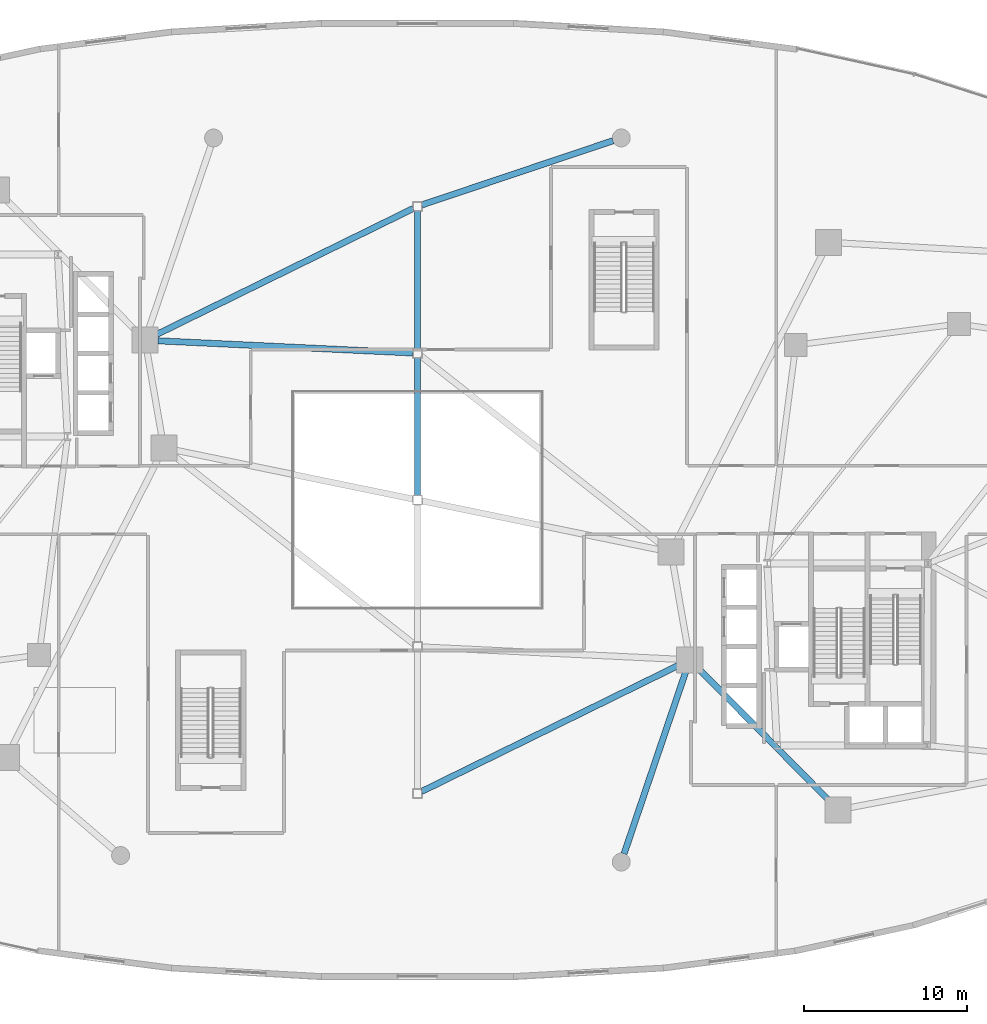
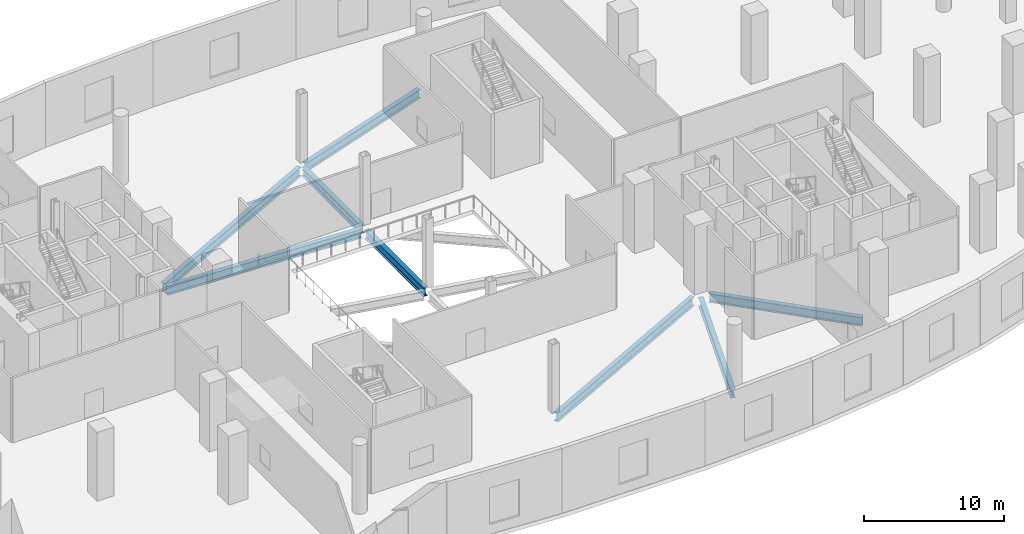
# One storey, part 6 of 20: 8 beams.
"""IFC4 building model written with IfcOpenShell, lengths in metres."""

from ifc_helpers import new_model, si_unit, direction, frame, origin, origin_2d, place, context, subcontext, project, spatial, i_section, extrude, material, material_profile, profile_set, type_object, element, save


model = new_model("IFC4")

# Units and contexts
model_context = context("Model", 3, precision=1e-05, world=origin(), true_north=direction((0.0, 1.0)))
body_context = subcontext(model_context, "Body", "Model", "MODEL_VIEW")
ifc_project = project(units=[si_unit("LENGTHUNIT", "METRE"), si_unit("AREAUNIT", "SQUARE_METRE"), si_unit("VOLUMEUNIT", "CUBIC_METRE"), si_unit("PLANEANGLEUNIT", "RADIAN"), si_unit("MASSUNIT", "GRAM", prefix="KILO"), si_unit("THERMODYNAMICTEMPERATUREUNIT", "KELVIN"), si_unit("POWERUNIT", "WATT")], contexts=[model_context])

# Site, building, storey
site_placement = place(None, origin())
site = spatial("IfcSite", under=ifc_project, at=site_placement, CompositionType="ELEMENT")
building_placement = place(site_placement, origin())
building = spatial("IfcBuilding", under=site, at=building_placement, Name="Cundina Bronze Exchange", CompositionType="ELEMENT")
storey_placement = place(building_placement, frame((0.0, 0.0, 6.0)))
storey = spatial("IfcBuildingStorey", under=building, at=storey_placement, Name="L01", CompositionType="ELEMENT", Elevation=6.0)

# Beams
ifc_material = material(Name="Steel ASTM A992 Grade 50", Category="steel")
ifc_material_profile = material_profile(ifc_material, i_section(OverallWidth=0.381103515625, OverallDepth=0.77294921875, WebThickness=0.0166015625, FlangeThickness=0.027099609375, FilletRadius=0.01904296875, at=origin_2d()), Name="W30X173", Category="steel")
ifc_profile_set = profile_set([ifc_material_profile], Name="Steel ASTM A992 Grade 50")
beam_type = type_object("IfcBeamType", Name="BM-RING-W30", PredefinedType="USERDEFINED", material=ifc_profile_set)
for number, where, z_axis, x_axis, name in (
    (1, (0.0, 0.2880859375, -0.736572265625), (0.0, 1.0, 0.0), (-1.0, 0.0, 0.0), "L01 Concourse Spine Longitudinal Girder 03"),
    (2, (0.0, 9.2880859375, -0.736572265625), (0.0, 1.0, 0.0), (-1.0, 0.0, 0.0), "L01 Concourse Spine Longitudinal Girder 04"),
):
    element("IfcBeam", number, at=place(storey_placement, frame(where, z_axis=z_axis, x_axis=x_axis)), inside=storey, type_object=beam_type, Name=name, ObjectType="GIRDER", PredefinedType="USERDEFINED", context=body_context, shape_type="SweptSolid", body=[
        extrude(i_section(OverallWidth=0.381103515625, OverallDepth=0.77294921875, WebThickness=0.0166015625, FlangeThickness=0.027099609375, FilletRadius=0.01904296875, at=origin_2d()), origin(), (0.0, 0.0, 1.0), 8.423828125),
    ])
beam_1_placement = place(storey_placement, frame((11.989990234375, 22.028564453125, -0.736572265625), z_axis=(-0.947926096535, -0.318490369567, 0.0), x_axis=(0.318490369567, -0.947926096535, 0.0)))
element("IfcBeam", 3, at=beam_1_placement, inside=storey, type_object=beam_type, Name="L01 Podium Colonnade Tie Beam 04", ObjectType="GIRDER", PredefinedType="USERDEFINED", context=body_context, shape_type="SweptSolid", body=[
    extrude(i_section(OverallWidth=0.381103515625, OverallDepth=0.77294921875, WebThickness=0.0166015625, FlangeThickness=0.027099609375, FilletRadius=0.01904296875, at=origin_2d()), origin(), (0.0, 0.0, 1.0), 12.360595703125),
])
beam_2_placement = place(storey_placement, frame((12.672607421875, -21.6904296875, -0.736572265625), z_axis=(0.320811837352, 0.947142948564, 0.0), x_axis=(-0.947142948564, 0.320811837352, 0.0)))
element("IfcBeam", 4, at=beam_2_placement, inside=storey, type_object=beam_type, Name="L01 Podium Colonnade Tie Beam 05", ObjectType="GIRDER", PredefinedType="USERDEFINED", context=body_context, shape_type="SweptSolid", body=[
    extrude(i_section(OverallWidth=0.381103515625, OverallDepth=0.77294921875, WebThickness=0.0166015625, FlangeThickness=0.027099609375, FilletRadius=0.01904296875, at=origin_2d()), origin(), (0.0, 0.0, 1.0), 11.765869140625),
])
beam_3_placement = place(storey_placement, frame((0.258544921875, -17.873046875, -0.736572265625), z_axis=(0.897626935378, 0.44075603783, 0.0), x_axis=(-0.44075603783, 0.897626935378, 0.0)))
element("IfcBeam", 5, at=beam_3_placement, inside=storey, type_object=beam_type, Name="L01 Concourse East Span Girder 01", ObjectType="GIRDER", PredefinedType="USERDEFINED", context=body_context, shape_type="SweptSolid", body=[
    extrude(i_section(OverallWidth=0.381103515625, OverallDepth=0.77294921875, WebThickness=0.0166015625, FlangeThickness=0.027099609375, FilletRadius=0.01904296875, at=origin_2d()), origin(), (0.0, 0.0, 1.0), 17.528564453125),
])
beam_4_placement = place(storey_placement, frame((-15.912841796875, 9.76220703125, -0.736572265625), z_axis=(0.998855248542, -0.047835054714, 0.0), x_axis=(0.047835054714, 0.998855248542, 0.0)))
element("IfcBeam", 6, at=beam_4_placement, inside=storey, type_object=beam_type, Name="L01 Concourse West Span Girder 04", ObjectType="GIRDER", PredefinedType="USERDEFINED", context=body_context, shape_type="SweptSolid", body=[
    extrude(i_section(OverallWidth=0.381103515625, OverallDepth=0.77294921875, WebThickness=0.0166015625, FlangeThickness=0.027099609375, FilletRadius=0.01904296875, at=origin_2d()), origin(), (0.0, 0.0, 1.0), 15.64306640625),
])
beam_5_placement = place(storey_placement, frame((-15.99267578125, 10.147216796875, -0.736572265625), z_axis=(0.897626935378, 0.44075603783, 0.0), x_axis=(-0.44075603783, 0.897626935378, 0.0)))
element("IfcBeam", 7, at=beam_5_placement, inside=storey, type_object=beam_type, Name="L01 Concourse West Span Girder 05", ObjectType="GIRDER", PredefinedType="USERDEFINED", context=body_context, shape_type="SweptSolid", body=[
    extrude(i_section(OverallWidth=0.381103515625, OverallDepth=0.77294921875, WebThickness=0.0166015625, FlangeThickness=0.027099609375, FilletRadius=0.01904296875, at=origin_2d()), origin(), (0.0, 0.0, 1.0), 17.528564453125),
])
beam_6_placement = place(storey_placement, frame((17.254150390625, -10.360107421875, -0.736572265625), z_axis=(0.703229241487, -0.710963173391, 0.0), x_axis=(0.710963173391, 0.703229241487, 0.0)))
element("IfcBeam", 8, at=beam_6_placement, inside=storey, type_object=beam_type, Name="L01 E Podium Ring Girder 02", ObjectType="GIRDER", PredefinedType="USERDEFINED", context=body_context, shape_type="SweptSolid", body=[
    extrude(i_section(OverallWidth=0.381103515625, OverallDepth=0.77294921875, WebThickness=0.0166015625, FlangeThickness=0.027099609375, FilletRadius=0.01904296875, at=origin_2d()), origin(), (0.0, 0.0, 1.0), 11.3642578125),
])

save(model, "model.ifc")
